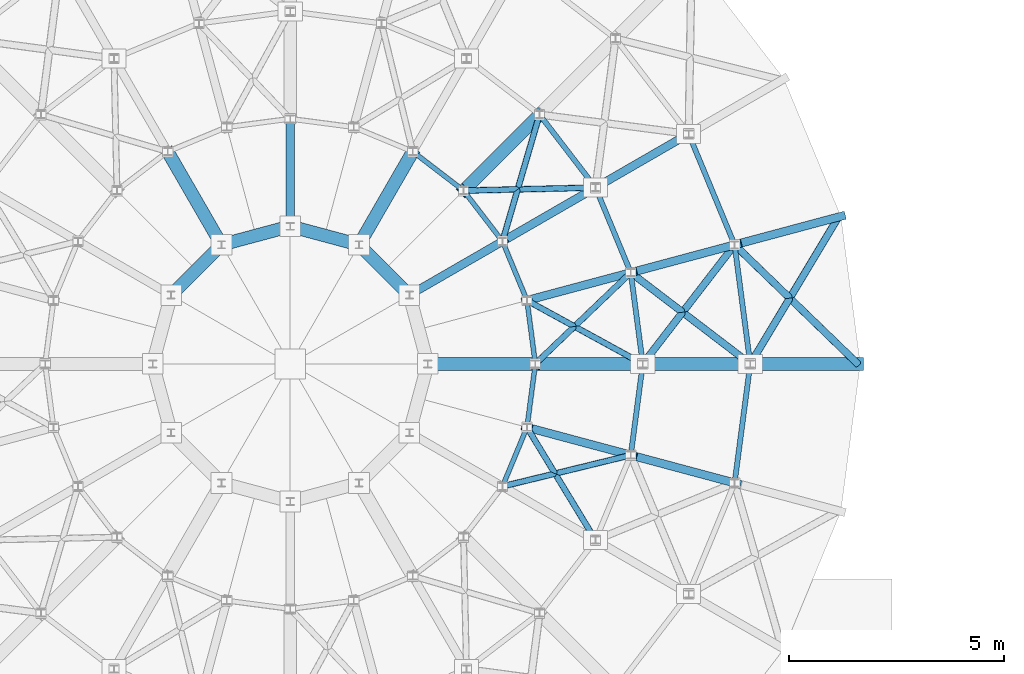
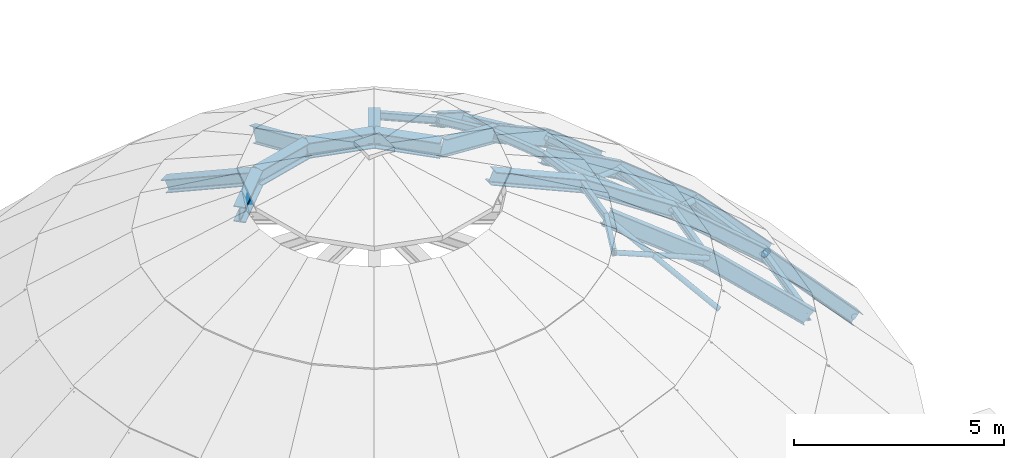
# One storey, part 9 of 31: 39 members, 4 beams.
"""IFC4 building model written with IfcOpenShell, lengths in metres."""

from ifc_helpers import new_model, si_unit, direction, frame, origin, origin_2d, place, context, subcontext, project, spatial, hollow_circle, i_section, extrude, material, material_profile, profile_set, type_object, element, save


model = new_model("IFC4")

# Units and contexts
model_context = context("Model", 3, precision=1e-05, world=origin(), true_north=direction((0.0, 1.0)))
body_context = subcontext(model_context, "Body", "Model", "MODEL_VIEW")
ifc_project = project(units=[si_unit("LENGTHUNIT", "METRE"), si_unit("AREAUNIT", "SQUARE_METRE"), si_unit("VOLUMEUNIT", "CUBIC_METRE"), si_unit("PLANEANGLEUNIT", "RADIAN"), si_unit("MASSUNIT", "GRAM", prefix="KILO")], contexts=[model_context])

# Site, building, storey
site_placement = place(None, origin())
site = spatial("IfcSite", under=ifc_project, at=site_placement, CompositionType="ELEMENT")
building_placement = place(site_placement, origin())
building = spatial("IfcBuilding", under=site, at=building_placement, Name="Clarverna Civic Hall", CompositionType="ELEMENT")
storey_placement = place(building_placement, frame((0.0, 0.0, 31.199951171875)))
storey = spatial("IfcBuildingStorey", under=building, at=storey_placement, Name="RF", CompositionType="ELEMENT", Elevation=31.199951171875)

# Members
ifc_material = material(Name="Steel S355", Category="steel")
ifc_material_profile_1 = material_profile(ifc_material, i_section(OverallWidth=0.300048828125, OverallDepth=0.360107421875, WebThickness=0.012451171875, FlangeThickness=0.0224609375, FilletRadius=0.027099609375, at=origin_2d()), Name="HEB 360")
ifc_profile_set_1 = profile_set([ifc_material_profile_1], Name="Steel S355")
member_type_1 = type_object("IfcMemberType", Name="DR-01", PredefinedType="RAFTER", material=ifc_profile_set_1)
member_1_placement = place(storey_placement, frame((96.0, 59.0, -10.800048828125), z_axis=(-0.679381571114, 0.0, 0.733785173488), x_axis=(0.0, -1.0, 0.0)))
element("IfcMember", 1, at=member_1_placement, inside=storey, type_object=member_type_1, Name="DR-01-001", PredefinedType="RAFTER", context=body_context, shape_type="SweptSolid", body=[
    extrude(i_section(OverallWidth=0.300048828125, OverallDepth=0.360107421875, WebThickness=0.012451171875, FlangeThickness=0.0224609375, FilletRadius=0.027099609375, at=origin_2d()), origin(), (0.0, 0.0, 1.0), 3.679931640625),
])
member_2_placement = place(storey_placement, frame((93.5, 59.0, -8.099853515625), z_axis=(-0.758199837863, 0.0, 0.652022243381), x_axis=(0.0, -1.0, 0.0)))
element("IfcMember", 2, at=member_2_placement, inside=storey, type_object=member_type_1, Name="DR-01-009", PredefinedType="RAFTER", context=body_context, shape_type="SweptSolid", body=[
    extrude(i_section(OverallWidth=0.300048828125, OverallDepth=0.360107421875, WebThickness=0.012451171875, FlangeThickness=0.0224609375, FilletRadius=0.027099609375, at=origin_2d()), origin(), (0.0, 0.0, 1.0), 3.29736328125),
])
for number, where, z_axis, x_axis, name in (
    (3, (91.0, 59.0, -5.949951171875), (-0.834624394871, 0.0, 0.550819498099), (0.0, -1.0, 0.0), "DR-01-017"),
    (4, (88.598388671875, 64.79833984375, -5.949951171875), (-0.590174171833, -0.590174171833, 0.550807492508), (0.707106781187, -0.707106781187, 0.0), "DR-01-018"),
):
    element("IfcMember", number, at=place(storey_placement, frame(where, z_axis=z_axis, x_axis=x_axis)), inside=storey, type_object=member_type_1, Name=name, PredefinedType="RAFTER", context=body_context, shape_type="SweptSolid", body=[
        extrude(i_section(OverallWidth=0.300048828125, OverallDepth=0.360107421875, WebThickness=0.012451171875, FlangeThickness=0.0224609375, FilletRadius=0.027099609375, at=origin_2d()), origin(), (0.0, 0.0, 1.0), 2.995361328125),
    ])
member_3_placement = place(storey_placement, frame((88.5, 59.0, -4.300048828125), z_axis=(-0.915301851847, 0.0, 0.402768568791), x_axis=(0.0, -1.0, 0.0)))
element("IfcMember", 5, at=member_3_placement, inside=storey, type_object=member_type_1, Name="DR-01-025", PredefinedType="RAFTER", context=body_context, shape_type="SweptSolid", body=[
    extrude(i_section(OverallWidth=0.300048828125, OverallDepth=0.360107421875, WebThickness=0.012451171875, FlangeThickness=0.0224609375, FilletRadius=0.027099609375, at=origin_2d()), origin(), (0.0, 0.0, 1.0), 2.7314453125),
])
for number, where, z_axis, x_axis, name in (
    (6, (85.64990234375, 63.936279296875, -4.300048828125), (-0.457654172911, -0.792671329176, 0.402771426394), (0.866022959057, -0.500004234368, 0.0), "DR-01-026"),
    (7, (79.949951171875, 63.936279296875, -4.300048828125), (0.457654172911, -0.792671329176, 0.402771426394), (0.866022959057, 0.500004234368, 0.0), "DR-01-027"),
):
    element("IfcMember", number, at=place(storey_placement, frame(where, z_axis=z_axis, x_axis=x_axis)), inside=storey, type_object=member_type_1, Name=name, PredefinedType="RAFTER", context=body_context, shape_type="SweptSolid", body=[
        extrude(i_section(OverallWidth=0.300048828125, OverallDepth=0.360107421875, WebThickness=0.012451171875, FlangeThickness=0.0224609375, FilletRadius=0.027099609375, at=origin_2d()), origin(), (0.0, 0.0, 1.0), 2.731201171875),
    ])
ifc_material_profile_2 = material_profile(ifc_material, i_section(OverallWidth=0.18994140625, OverallDepth=0.449951171875, WebThickness=0.009521484375, FlangeThickness=0.0146484375, FilletRadius=0.02099609375, at=origin_2d()), Name="IPE 450")
ifc_profile_set_2 = profile_set([ifc_material_profile_2], Name="Steel S355")
member_type_2 = type_object("IfcMemberType", Name="DR-02", PredefinedType="RAFTER", material=ifc_profile_set_2)
member_4_placement = place(storey_placement, frame((95.55029296875, 62.41650390625, -10.800048828125), z_axis=(-0.656223860205, -0.175882059792, 0.733781811128), x_axis=(0.258884148626, -0.965908379501, 0.0)))
element("IfcMember", 8, at=member_4_placement, inside=storey, type_object=member_type_2, Name="DR-02-001", PredefinedType="RAFTER", context=body_context, shape_type="SweptSolid", body=[
    extrude(i_section(OverallWidth=0.18994140625, OverallDepth=0.449951171875, WebThickness=0.009521484375, FlangeThickness=0.0146484375, FilletRadius=0.02099609375, at=origin_2d()), origin(), (0.0, 0.0, 1.0), 3.679931640625),
])
for number, where, z_axis, x_axis, name in (
    (9, (93.135498046875, 61.769287109375, -8.099853515625), (-0.732365309611, -0.196215556614, 0.652027996808), (0.258793034845, -0.965932795341, 0.0), "DR-02-017"),
    (10, (92.06640625, 64.35009765625, -8.099853515625), (-0.656616103097, -0.37910176453, 0.652025417667), (0.500004234368, -0.866022959057, 0.0), "DR-02-018"),
    (11, (93.135498046875, 56.230712890625, -8.099853515625), (-0.732365309611, 0.196215556614, 0.652027996808), (-0.258793034845, -0.965932795341, 0.0), "DR-02-032"),
):
    element("IfcMember", number, at=place(storey_placement, frame(where, z_axis=z_axis, x_axis=x_axis)), inside=storey, type_object=member_type_2, Name=name, PredefinedType="RAFTER", context=body_context, shape_type="SweptSolid", body=[
        extrude(i_section(OverallWidth=0.18994140625, OverallDepth=0.449951171875, WebThickness=0.009521484375, FlangeThickness=0.0146484375, FilletRadius=0.02099609375, at=origin_2d()), origin(), (0.0, 0.0, 1.0), 3.29736328125),
    ])
for number, where, z_axis, x_axis, name in (
    (12, (90.720703125, 61.122314453125, -5.949951171875), (-0.806187320247, -0.215993974184, 0.550825387749), (0.258793034845, -0.965932795341, 0.0), "DR-02-033"),
    (13, (89.9013671875, 63.10009765625, -5.949951171875), (-0.722802030951, -0.417314659277, 0.550822747538), (0.500004234368, -0.866022959057, 0.0), "DR-02-034"),
    (14, (90.720703125, 56.877685546875, -5.949951171875), (-0.806187320247, 0.215993974184, 0.550825387749), (-0.258793034845, -0.965932795341, 0.0), "DR-02-048"),
):
    element("IfcMember", number, at=place(storey_placement, frame(where, z_axis=z_axis, x_axis=x_axis)), inside=storey, type_object=member_type_2, Name=name, PredefinedType="RAFTER", context=body_context, shape_type="SweptSolid", body=[
        extrude(i_section(OverallWidth=0.18994140625, OverallDepth=0.449951171875, WebThickness=0.009521484375, FlangeThickness=0.0146484375, FilletRadius=0.02099609375, at=origin_2d()), origin(), (0.0, 0.0, 1.0), 2.995361328125),
    ])
member_5_placement = place(storey_placement, frame((87.736328125, 61.85009765625, -4.300048828125), z_axis=(-0.792671329176, -0.457654172911, 0.402771426394), x_axis=(0.500004234368, -0.866022959057, 0.0)))
element("IfcMember", 15, at=member_5_placement, inside=storey, type_object=member_type_2, Name="DR-02-049", PredefinedType="RAFTER", context=body_context, shape_type="SweptSolid", body=[
    extrude(i_section(OverallWidth=0.18994140625, OverallDepth=0.449951171875, WebThickness=0.009521484375, FlangeThickness=0.0146484375, FilletRadius=0.02099609375, at=origin_2d()), origin(), (0.0, 0.0, 1.0), 2.731201171875),
])
member_6_placement = place(storey_placement, frame((82.800048828125, 64.699951171875, -4.300048828125), z_axis=(0.0, -0.915301851847, 0.402768568791), x_axis=(1.0, 0.0, 0.0)))
element("IfcMember", 16, at=member_6_placement, inside=storey, type_object=member_type_2, Name="DR-02-050", PredefinedType="RAFTER", context=body_context, shape_type="SweptSolid", body=[
    extrude(i_section(OverallWidth=0.18994140625, OverallDepth=0.449951171875, WebThickness=0.009521484375, FlangeThickness=0.0146484375, FilletRadius=0.02099609375, at=origin_2d()), origin(), (0.0, 0.0, 1.0), 2.7314453125),
])
ifc_material_profile_3 = material_profile(ifc_material, hollow_circle(Radius=0.084228515625, WallThickness=0.010009765625, at=origin_2d()), Name="CHS 168.3x10.0")
ifc_profile_set_3 = profile_set([ifc_material_profile_3], Name="Steel S355")
member_type_3 = type_object("IfcMemberType", Name="LBD-1", PredefinedType="BRACE", material=ifc_profile_set_3)
member_7_placement = place(storey_placement, frame((96.0, 59.0, -10.800048828125), z_axis=(-0.595154105854, 0.575371432942, 0.56101631388), x_axis=(-0.695056940101, -0.718954692604, 0.0)))
element("IfcMember", 17, at=member_7_placement, inside=storey, type_object=member_type_3, Name="LBD-1-001", PredefinedType="BRACE", context=body_context, shape_type="SweptSolid", body=[
    extrude(hollow_circle(Radius=0.084228515625, WallThickness=0.010009765625, at=origin_2d()), origin(), (0.0, 0.0, 1.0), 4.81298828125),
])
member_8_placement = place(storey_placement, frame((95.55029296875, 62.41650390625, -10.800048828125), z_axis=(-0.425969626954, -0.7098141176, 0.560993578723), x_axis=(0.85744967139, -0.514567839098, 0.0)))
element("IfcMember", 18, at=member_8_placement, inside=storey, type_object=member_type_3, Name="LBD-1-002", PredefinedType="BRACE", context=body_context, shape_type="SweptSolid", body=[
    extrude(hollow_circle(Radius=0.084228515625, WallThickness=0.010009765625, at=origin_2d()), origin(), (0.0, 0.0, 1.0), 4.813232421875),
])
for number, where, z_axis, x_axis, name in (
    (19, (93.5, 59.0, -8.099853515625), (-0.677056338042, 0.517010782378, 0.52373138728), (-0.606903179873, -0.794775773574, 0.0), "LBD-1-025"),
    (20, (93.135498046875, 61.769287109375, -8.099853515625), (-0.520213241707, -0.674606013568, 0.52372216834), (0.791894143901, -0.610658386379, 0.0), "LBD-1-026"),
):
    element("IfcMember", number, at=place(storey_placement, frame(where, z_axis=z_axis, x_axis=x_axis)), inside=storey, type_object=member_type_3, Name=name, PredefinedType="BRACE", context=body_context, shape_type="SweptSolid", body=[
        extrude(hollow_circle(Radius=0.084228515625, WallThickness=0.010009765625, at=origin_2d()), origin(), (0.0, 0.0, 1.0), 4.10498046875),
    ])
ifc_material_profile_4 = material_profile(ifc_material, hollow_circle(Radius=0.06982421875, WallThickness=0.008056640625, at=origin_2d()), Name="CHS 139.7x8.0")
ifc_profile_set_4 = profile_set([ifc_material_profile_4], Name="Steel S355")
member_type_4 = type_object("IfcMemberType", Name="LBD-2", PredefinedType="BRACE", material=ifc_profile_set_4)
member_9_placement = place(storey_placement, frame((91.0, 59.0, -5.949951171875), z_axis=(-0.772680978746, 0.423136488859, 0.473201454859), x_axis=(-0.480316078725, -0.877095470583, 0.0)))
element("IfcMember", 21, at=member_9_placement, inside=storey, type_object=member_type_4, Name="LBD-2-001", PredefinedType="BRACE", context=body_context, shape_type="SweptSolid", body=[
    extrude(hollow_circle(Radius=0.06982421875, WallThickness=0.008056640625, at=origin_2d()), origin(), (0.0, 0.0, 1.0), 3.486572265625),
])
member_10_placement = place(storey_placement, frame((90.720703125, 61.122314453125, -5.949951171875), z_axis=(-0.636884801858, -0.608667500281, 0.473182441838), x_axis=(0.690910393225, -0.722940404552, 0.0)))
element("IfcMember", 22, at=member_10_placement, inside=storey, type_object=member_type_4, Name="LBD-2-002", PredefinedType="BRACE", context=body_context, shape_type="SweptSolid", body=[
    extrude(hollow_circle(Radius=0.06982421875, WallThickness=0.008056640625, at=origin_2d()), origin(), (0.0, 0.0, 1.0), 3.48681640625),
])
member_11_placement = place(storey_placement, frame((89.9013671875, 63.10009765625, -5.949951171875), z_axis=(-0.880727086771, -0.019956051815, 0.473203502337), x_axis=(0.022652795902, -0.999743392495, 0.0)))
element("IfcMember", 23, at=member_11_placement, inside=storey, type_object=member_type_4, Name="LBD-2-003", PredefinedType="BRACE", context=body_context, shape_type="SweptSolid", body=[
    extrude(hollow_circle(Radius=0.06982421875, WallThickness=0.008056640625, at=origin_2d()), origin(), (0.0, 0.0, 1.0), 3.486572265625),
])
member_12_placement = place(storey_placement, frame((88.598388671875, 64.79833984375, -5.949951171875), z_axis=(-0.24723865845, -0.845554811509, 0.473191405778), x_axis=(0.959811062556, -0.28064697432, 0.0)))
element("IfcMember", 24, at=member_12_placement, inside=storey, type_object=member_type_4, Name="LBD-2-004", PredefinedType="BRACE", context=body_context, shape_type="SweptSolid", body=[
    extrude(hollow_circle(Radius=0.06982421875, WallThickness=0.008056640625, at=origin_2d()), origin(), (0.0, 0.0, 1.0), 3.48681640625),
])
member_13_placement = place(storey_placement, frame((89.9013671875, 54.89990234375, -5.949951171875), z_axis=(-0.457585494881, 0.752792908258, 0.473200118502), x_axis=(-0.854519174513, -0.519419849823, 0.0)))
element("IfcMember", 25, at=member_13_placement, inside=storey, type_object=member_type_4, Name="LBD-2-023", PredefinedType="BRACE", context=body_context, shape_type="SweptSolid", body=[
    extrude(hollow_circle(Radius=0.06982421875, WallThickness=0.008056640625, at=origin_2d()), origin(), (0.0, 0.0, 1.0), 3.486572265625),
])
member_14_placement = place(storey_placement, frame((90.720703125, 56.877685546875, -5.949951171875), z_axis=(-0.855886638161, -0.208720391718, 0.473174239258), x_axis=(0.236921417149, -0.971528816915, 0.0)))
element("IfcMember", 26, at=member_14_placement, inside=storey, type_object=member_type_4, Name="LBD-2-024", PredefinedType="BRACE", context=body_context, shape_type="SweptSolid", body=[
    extrude(hollow_circle(Radius=0.06982421875, WallThickness=0.008056640625, at=origin_2d()), origin(), (0.0, 0.0, 1.0), 3.48681640625),
])
ifc_material_profile_5 = material_profile(ifc_material, i_section(OverallWidth=0.1201171875, OverallDepth=0.239990234375, WebThickness=0.006103515625, FlangeThickness=0.009765625, FilletRadius=0.014892578125, at=origin_2d()), Name="IPE 240")
ifc_profile_set_5 = profile_set([ifc_material_profile_5], Name="Steel S355")
member_type_5 = type_object("IfcMemberType", Name="PU-DR1", PredefinedType="PURLIN", material=ifc_profile_set_5)
member_15_placement = place(storey_placement, frame((93.5, 59.0, -8.099853515625), z_axis=(-0.130497471798, 0.991448642066, 0.0), x_axis=(-0.991448642066, -0.130497471798, 0.0)))
element("IfcMember", 27, at=member_15_placement, inside=storey, type_object=member_type_5, Name="PU-DR1-001", PredefinedType="PURLIN", context=body_context, shape_type="SweptSolid", body=[
    extrude(i_section(OverallWidth=0.1201171875, OverallDepth=0.239990234375, WebThickness=0.006103515625, FlangeThickness=0.009765625, FilletRadius=0.014892578125, at=origin_2d()), origin(), (0.0, 0.0, 1.0), 2.793212890625),
])
member_16_placement = place(storey_placement, frame((93.135498046875, 61.769287109375, -8.099853515625), z_axis=(-0.382709424419, 0.923868765822, 0.0), x_axis=(-0.923868765822, -0.382709424419, 0.0)))
element("IfcMember", 28, at=member_16_placement, inside=storey, type_object=member_type_5, Name="PU-DR1-002", PredefinedType="PURLIN", context=body_context, shape_type="SweptSolid", body=[
    extrude(i_section(OverallWidth=0.1201171875, OverallDepth=0.239990234375, WebThickness=0.006103515625, FlangeThickness=0.009765625, FilletRadius=0.014892578125, at=origin_2d()), origin(), (0.0, 0.0, 1.0), 2.79345703125),
])
member_17_placement = place(storey_placement, frame((93.135498046875, 56.230712890625, -8.099853515625), z_axis=(0.130497471798, 0.991448642066, 0.0), x_axis=(-0.991448642066, 0.130497471798, 0.0)))
element("IfcMember", 29, at=member_17_placement, inside=storey, type_object=member_type_5, Name="PU-DR1-024", PredefinedType="PURLIN", context=body_context, shape_type="SweptSolid", body=[
    extrude(i_section(OverallWidth=0.1201171875, OverallDepth=0.239990234375, WebThickness=0.006103515625, FlangeThickness=0.009765625, FilletRadius=0.014892578125, at=origin_2d()), origin(), (0.0, 0.0, 1.0), 2.793212890625),
])
member_18_placement = place(storey_placement, frame((91.0, 59.0, -5.949951171875), z_axis=(-0.130475164522, 0.991451577962, 0.0), x_axis=(-0.991451577962, -0.130475164522, 0.0)))
element("IfcMember", 30, at=member_18_placement, inside=storey, type_object=member_type_5, Name="PU-DR1-025", PredefinedType="PURLIN", context=body_context, shape_type="SweptSolid", body=[
    extrude(i_section(OverallWidth=0.1201171875, OverallDepth=0.239990234375, WebThickness=0.006103515625, FlangeThickness=0.009765625, FilletRadius=0.014892578125, at=origin_2d()), origin(), (0.0, 0.0, 1.0), 2.140625),
])
member_19_placement = place(storey_placement, frame((90.720703125, 61.122314453125, -5.949951171875), z_axis=(-0.382727813026, 0.923861148191, 0.0), x_axis=(-0.923861148191, -0.382727813026, 0.0)))
element("IfcMember", 31, at=member_19_placement, inside=storey, type_object=member_type_5, Name="PU-DR1-026", PredefinedType="PURLIN", context=body_context, shape_type="SweptSolid", body=[
    extrude(i_section(OverallWidth=0.1201171875, OverallDepth=0.239990234375, WebThickness=0.006103515625, FlangeThickness=0.009765625, FilletRadius=0.014892578125, at=origin_2d()), origin(), (0.0, 0.0, 1.0), 2.140869140625),
])
for number, where, z_axis, x_axis, name in (
    (32, (89.9013671875, 63.10009765625, -5.949951171875), (-0.608723629514, 0.793382343433, 0.0), (-0.793382343433, -0.608723629514, 0.0), "PU-DR1-027"),
    (33, (90.720703125, 56.877685546875, -5.949951171875), (0.130475164522, 0.991451577962, 0.0), (-0.991451577962, 0.130475164522, 0.0), "PU-DR1-048"),
):
    element("IfcMember", number, at=place(storey_placement, frame(where, z_axis=z_axis, x_axis=x_axis)), inside=storey, type_object=member_type_5, Name=name, PredefinedType="PURLIN", context=body_context, shape_type="SweptSolid", body=[
        extrude(i_section(OverallWidth=0.1201171875, OverallDepth=0.239990234375, WebThickness=0.006103515625, FlangeThickness=0.009765625, FilletRadius=0.014892578125, at=origin_2d()), origin(), (0.0, 0.0, 1.0), 2.140625),
    ])
ifc_material_profile_6 = material_profile(ifc_material, i_section(OverallWidth=0.110107421875, OverallDepth=0.219970703125, WebThickness=0.005859375, FlangeThickness=0.00927734375, FilletRadius=0.011962890625, at=origin_2d()), Name="IPE 220")
ifc_profile_set_6 = profile_set([ifc_material_profile_6], Name="Steel S355")
member_type_6 = type_object("IfcMemberType", Name="PU-DR2", PredefinedType="PURLIN", material=ifc_profile_set_6)
for number, where, z_axis, x_axis, name in (
    (34, (88.5, 59.0, -4.300048828125), (-0.130433292163, 0.991457087471, 0.0), (-0.991457087471, -0.130433292163, 0.0), "PU-DR2-001"),
    (35, (88.305908203125, 60.475341796875, -4.300048828125), (-0.382762332482, 0.923846847066, 0.0), (-0.923846847066, -0.382762332482, 0.0), "PU-DR2-002"),
):
    element("IfcMember", number, at=place(storey_placement, frame(where, z_axis=z_axis, x_axis=x_axis)), inside=storey, type_object=member_type_6, Name=name, PredefinedType="PURLIN", context=body_context, shape_type="SweptSolid", body=[
        extrude(i_section(OverallWidth=0.110107421875, OverallDepth=0.219970703125, WebThickness=0.005859375, FlangeThickness=0.00927734375, FilletRadius=0.011962890625, at=origin_2d()), origin(), (0.0, 0.0, 1.0), 1.488037109375),
    ])
member_20_placement = place(storey_placement, frame((87.736328125, 61.85009765625, -4.300048828125), z_axis=(-0.608758745152, 0.79335539968, 0.0), x_axis=(-0.79335539968, -0.608758745152, 0.0)))
element("IfcMember", 36, at=member_20_placement, inside=storey, type_object=member_type_6, Name="PU-DR2-003", PredefinedType="PURLIN", context=body_context, shape_type="SweptSolid", body=[
    extrude(i_section(OverallWidth=0.110107421875, OverallDepth=0.219970703125, WebThickness=0.005859375, FlangeThickness=0.00927734375, FilletRadius=0.011962890625, at=origin_2d()), origin(), (0.0, 0.0, 1.0), 1.48779296875),
])
for number, where, z_axis, x_axis, name in (
    (37, (86.83056640625, 63.030517578125, -4.300048828125), (-0.793416195949, 0.608679505163, 0.0), (-0.608679505163, -0.793416195949, 0.0), "PU-DR2-004"),
    (38, (87.736328125, 56.14990234375, -4.300048828125), (0.382762332482, 0.923846847066, 0.0), (-0.923846847066, 0.382762332482, 0.0), "PU-DR2-023"),
    (39, (88.305908203125, 57.524658203125, -4.300048828125), (0.130433292163, 0.991457087471, 0.0), (-0.991457087471, 0.130433292163, 0.0), "PU-DR2-024"),
):
    element("IfcMember", number, at=place(storey_placement, frame(where, z_axis=z_axis, x_axis=x_axis)), inside=storey, type_object=member_type_6, Name=name, PredefinedType="PURLIN", context=body_context, shape_type="SweptSolid", body=[
        extrude(i_section(OverallWidth=0.110107421875, OverallDepth=0.219970703125, WebThickness=0.005859375, FlangeThickness=0.00927734375, FilletRadius=0.011962890625, at=origin_2d()), origin(), (0.0, 0.0, 1.0), 1.488037109375),
    ])

# Beams
ifc_material_profile_7 = material_profile(ifc_material, i_section(OverallWidth=0.300048828125, OverallDepth=0.449951171875, WebThickness=0.013916015625, FlangeThickness=0.02587890625, FilletRadius=0.027099609375, at=origin_2d()), Name="HEB 450")
ifc_profile_set_7 = profile_set([ifc_material_profile_7], Name="Steel S355")
beam_type = type_object("IfcBeamType", Name="RB-OC1", PredefinedType="BEAM", material=ifc_profile_set_7)
beam_1_placement = place(storey_placement, frame((85.5712890625, 60.60009765625, -3.199951171875), z_axis=(-0.707180472685, 0.707033082007, 0.0), x_axis=(-0.707033082007, -0.707180472685, 0.0)))
element("IfcBeam", 40, at=beam_1_placement, inside=storey, type_object=beam_type, Name="Dome Oculus Ring Beam RB-OC1-02", PredefinedType="BEAM", context=body_context, shape_type="SweptSolid", body=[
    extrude(i_section(OverallWidth=0.300048828125, OverallDepth=0.449951171875, WebThickness=0.013916015625, FlangeThickness=0.02587890625, FilletRadius=0.027099609375, at=origin_2d()), origin(), (0.0, 0.0, 1.0), 1.656494140625),
])
beam_2_placement = place(storey_placement, frame((84.39990234375, 61.771240234375, -3.199951171875), z_axis=(-0.96592107457, 0.258836778108, 0.0), x_axis=(-0.258836778108, -0.96592107457, 0.0)))
element("IfcBeam", 41, at=beam_2_placement, inside=storey, type_object=beam_type, Name="Dome Oculus Ring Beam RB-OC1-03", PredefinedType="BEAM", context=body_context, shape_type="SweptSolid", body=[
    extrude(i_section(OverallWidth=0.300048828125, OverallDepth=0.449951171875, WebThickness=0.013916015625, FlangeThickness=0.02587890625, FilletRadius=0.027099609375, at=origin_2d()), origin(), (0.0, 0.0, 1.0), 1.65625),
])
beam_3_placement = place(storey_placement, frame((82.800048828125, 62.199951171875, -3.199951171875), z_axis=(-0.965930947833, -0.258799930484, 0.0), x_axis=(0.258799930484, -0.965930947833, 0.0)))
element("IfcBeam", 42, at=beam_3_placement, inside=storey, type_object=beam_type, Name="Dome Oculus Ring Beam RB-OC1-04", PredefinedType="BEAM", context=body_context, shape_type="SweptSolid", body=[
    extrude(i_section(OverallWidth=0.300048828125, OverallDepth=0.449951171875, WebThickness=0.013916015625, FlangeThickness=0.02587890625, FilletRadius=0.027099609375, at=origin_2d()), origin(), (0.0, 0.0, 1.0), 1.656494140625),
])
beam_4_placement = place(storey_placement, frame((81.199951171875, 61.771240234375, -3.199951171875), z_axis=(-0.707106781187, -0.707106781187, 0.0), x_axis=(0.707106781187, -0.707106781187, 0.0)))
element("IfcBeam", 43, at=beam_4_placement, inside=storey, type_object=beam_type, Name="Dome Oculus Ring Beam RB-OC1-05", PredefinedType="BEAM", context=body_context, shape_type="SweptSolid", body=[
    extrude(i_section(OverallWidth=0.300048828125, OverallDepth=0.449951171875, WebThickness=0.013916015625, FlangeThickness=0.02587890625, FilletRadius=0.027099609375, at=origin_2d()), origin(), (0.0, 0.0, 1.0), 1.65625),
])

save(model, "model.ifc")
